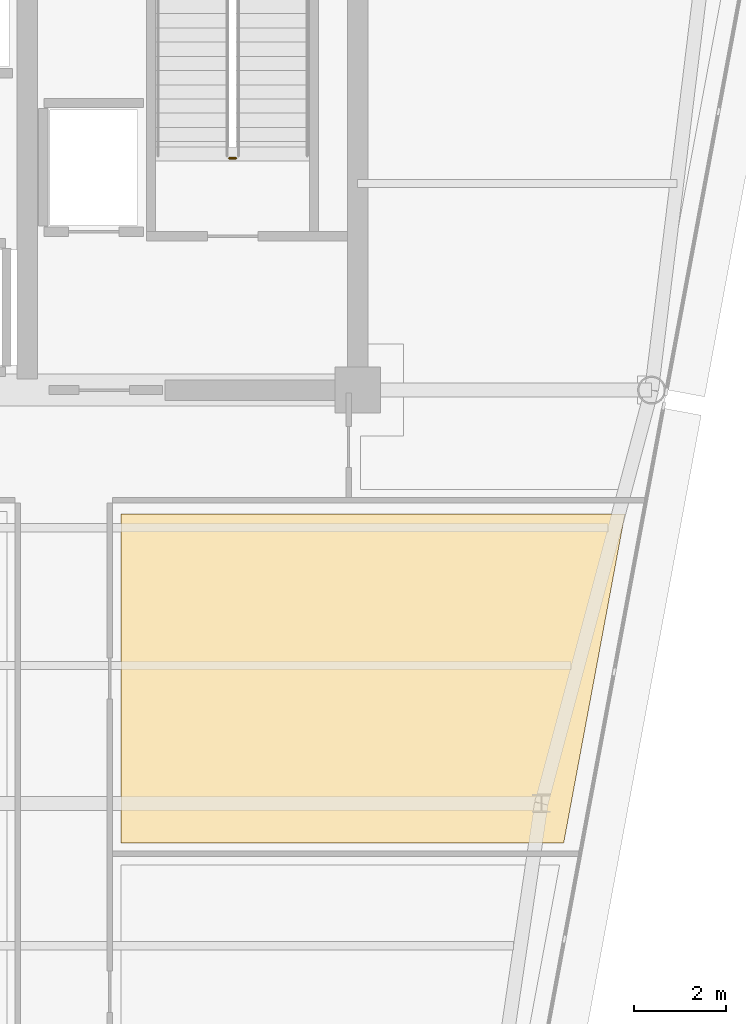
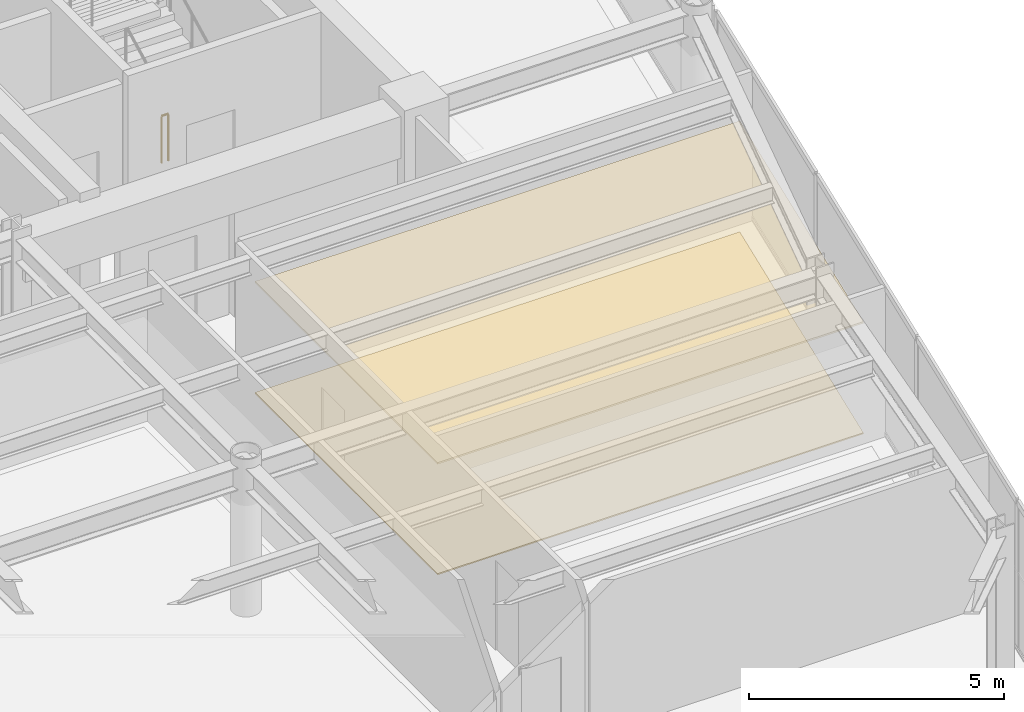
# One storey, part 16 of 19: 2 coverings, 1 railing.
"""IFC4 building model written with IfcOpenShell, lengths in metres."""

from ifc_helpers import new_model, si_unit, direction, frame, origin, origin_2d, place, context, subcontext, project, spatial, polyline, circle, outline, extrude, material, layer, layer_set, type_object, element, save


model = new_model("IFC4")

# Units and contexts
model_context = context("Model", 3, precision=1e-05, world=origin(), true_north=direction((0.0, 1.0)))
body_context = subcontext(model_context, "Body", "Model", "MODEL_VIEW")
ifc_project = project(units=[si_unit("LENGTHUNIT", "METRE"), si_unit("AREAUNIT", "SQUARE_METRE"), si_unit("VOLUMEUNIT", "CUBIC_METRE"), si_unit("PLANEANGLEUNIT", "RADIAN"), si_unit("MASSUNIT", "GRAM", prefix="KILO")], contexts=[model_context])

# Site, building, storey
site_placement = place(None, origin())
site = spatial("IfcSite", under=ifc_project, at=site_placement, CompositionType="ELEMENT")
building_placement = place(site_placement, origin())
building = spatial("IfcBuilding", under=site, at=building_placement, Name="Vaeldorn Concourse Tower", CompositionType="ELEMENT")
storey_placement = place(building_placement, frame((0.0, 0.0, 249.800048828125)))
storey = spatial("IfcBuildingStorey", under=building, at=storey_placement, Name="L64", CompositionType="ELEMENT", Elevation=249.800048828125)

# Coverings
ifc_material_1 = material(Name="Acoustic Mineral Fibre Board", Category="gypsum")
ifc_layer_1 = layer(ifc_material_1, 0.0400390625)
ifc_layer_set_1 = layer_set([ifc_layer_1], Name="Acoustic Mineral Fibre Board")
covering_type_1 = type_object("IfcCoveringType", Name="COV-CEIL-ACOUSTIC", PredefinedType="CEILING", material=ifc_layer_set_1)
covering_1_placement = place(storey_placement, frame((0.0, 0.0, 2.64990234375)))
element("IfcCovering", 1, at=covering_1_placement, inside=storey, type_object=covering_type_1, Name="Suspended Acoustic Ceiling L64-9", PredefinedType="CEILING", context=body_context, shape_type="SweptSolid", body=[
    extrude(outline(polyline([(48.840087890625, 26.639892578125), (48.840087890625, 33.800048828125), (59.818603515625, 33.800048828125), (58.485595703125, 26.639892578125), (48.840087890625, 26.639892578125)])), origin(), (0.0, 0.0, 1.0), 0.0400390625),
])
ifc_material_2 = material(Name="Honed Limestone Terrazzo Flooring", Category="masonry")
ifc_layer_2 = layer(ifc_material_2, 0.0400390625)
ifc_layer_set_2 = layer_set([ifc_layer_2], Name="Honed Limestone Terrazzo Flooring")
covering_type_2 = type_object("IfcCoveringType", Name="COV-FLOOR-STONE", PredefinedType="FLOORING", material=ifc_layer_set_2)
covering_2_placement = place(storey_placement, origin())
element("IfcCovering", 2, at=covering_2_placement, inside=storey, type_object=covering_type_2, Name="Floor Finish Covering L64-9", PredefinedType="FLOORING", context=body_context, shape_type="SweptSolid", body=[
    extrude(outline(polyline([(48.840087890625, 26.639892578125), (48.840087890625, 33.800048828125), (59.818603515625, 33.800048828125), (58.485595703125, 26.639892578125), (48.840087890625, 26.639892578125)])), origin(), (0.0, 0.0, 1.0), 0.030029296875),
])

# Railing
ifc_material_3 = material(Name="Anodised Bronze Aluminium", Category="aluminium")
railing_type = type_object("IfcRailingType", Name="RL-STAIR-GUARD", PredefinedType="GUARDRAIL", material=ifc_material_3)
railing_placement = place(storey_placement, frame((51.35009765625, 41.550048828125, 0.0)))
element("IfcRailing", 3, at=railing_placement, inside=storey, type_object=railing_type, Name="L64 ST-2 stair guard 4", PredefinedType="GUARDRAIL", context=body_context, shape_type="SweptSolid", body=[
    extrude(circle(Radius=0.02392578125, at=origin_2d()), frame((0.0, 0.0, 1.1259765625), z_axis=(-1.0, 0.0, 0.0), x_axis=(0.0, -1.0, 0.0)), (0.0, 0.0, 1.0), 0.150146484375),
    extrude(circle(Radius=0.02099609375, at=origin_2d()), origin(), (0.0, 0.0, 1.0), 1.101806640625),
    extrude(circle(Radius=0.02099609375, at=origin_2d()), frame((-0.150146484375, 0.0, 0.0)), (0.0, 0.0, 1.0), 1.101806640625),
])

save(model, "model.ifc")
